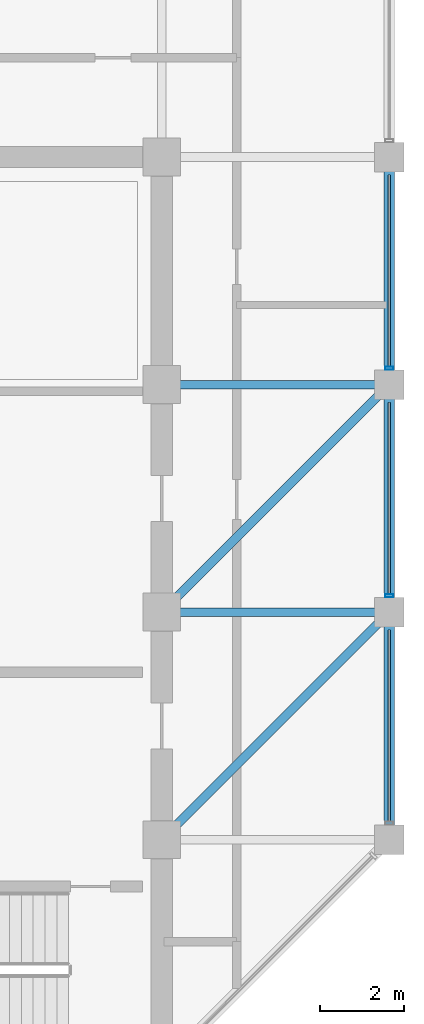
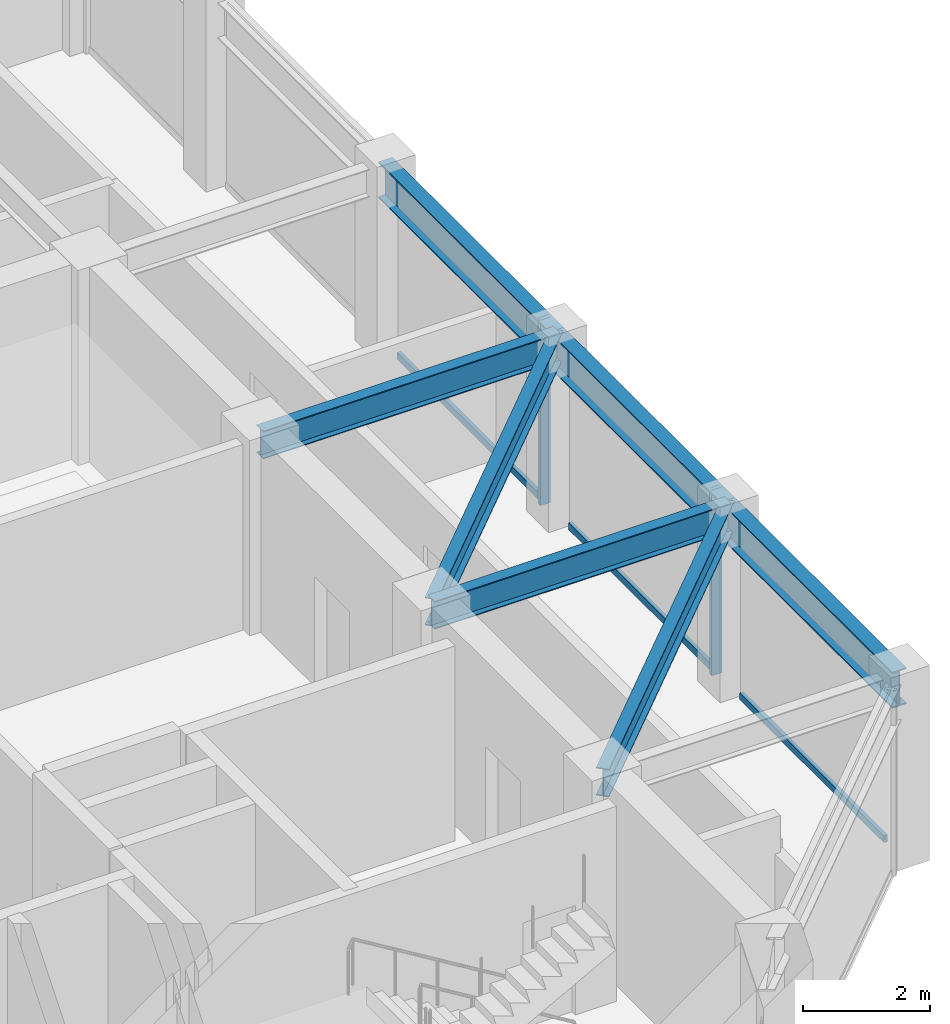
# One storey, part 13 of 30: 7 beams, 5 members, 1 element without a shape of its own.
"""IFC4 building model written with IfcOpenShell, lengths in metres."""

import ifcopenshell
import ifcopenshell.guid

model = None  # the IFC model being written
_history = None  # IfcOwnerHistory: only IFC2X3 demands one
_inside = {}  # id of a spatial element -> (the spatial element, [elements in it])
_under = {}  # id of a project, library or spatial element -> (it, [spatial elements below it])
_declared = {}  # id of a project -> (the project, [libraries it declares])
_typed = {}  # id of a type object -> (the type object, [elements of that type])
_made_of = {}  # id of a material, layer set ... -> (it, [elements and type objects made of it])


def new_model(schema):
    """Start an empty IFC model of exactly this schema.

    Asked for "IFC4X3", IfcOpenShell would pick the latest addendum, in which some entities
    have other attributes; the version numbers below select the first issue.
    IFC2X3 requires an IfcOwnerHistory on every rooted entity: one is made here for all.
    """
    global model, _history
    if schema == "IFC4X3":
        model = ifcopenshell.file(schema_version=(4, 3, 0, 0))
    else:
        model = ifcopenshell.file(schema=schema)
    _inside.clear()
    _under.clear()
    _declared.clear()
    _typed.clear()
    _made_of.clear()
    _history = None
    if model.schema == "IFC2X3":
        org = make("IfcOrganization", Name="unknown")
        user = make(
            "IfcPersonAndOrganization",
            ThePerson=make("IfcPerson", FamilyName="unknown"),
            TheOrganization=org,
        )
        app = make(
            "IfcApplication",
            ApplicationDeveloper=org,
            Version="unknown",
            ApplicationFullName="unknown",
            ApplicationIdentifier="unknown",
        )
        _history = make(
            "IfcOwnerHistory",
            OwningUser=user,
            OwningApplication=app,
            ChangeAction="ADDED",
            CreationDate=0,
        )
    return model


def make(cls, **values):
    """One entity of the class cls with the attributes given. An attribute that is None is left unset."""
    return model.create_entity(
        cls, **{name: value for name, value in values.items() if value is not None}
    )


def rooted(cls, **values):
    """An entity with a GlobalId (a new one), such as an element, a storey or a relation."""
    return make(cls, GlobalId=ifcopenshell.guid.new(), OwnerHistory=_history, **values)


def si_unit(unit_type, name, prefix=None):
    """IfcSIUnit, for example si_unit("LENGTHUNIT", "METRE", prefix="MILLI")."""
    return make("IfcSIUnit", UnitType=unit_type, Prefix=prefix, Name=name)


def assignment(units):
    """IfcUnitAssignment: the units of a project."""
    return None if units is None else make("IfcUnitAssignment", Units=units)


def point(xyz):
    """IfcCartesianPoint."""
    return None if xyz is None else make("IfcCartesianPoint", Coordinates=xyz)


def direction(xyz):
    """IfcDirection."""
    return None if xyz is None else make("IfcDirection", DirectionRatios=xyz)


def frame(location, z_axis=None, x_axis=None):
    """IfcAxis2Placement3D, a coordinate frame: its origin and axes. An axis left out is left unset."""
    return make(
        "IfcAxis2Placement3D",
        Location=point(location),
        Axis=direction(z_axis),
        RefDirection=direction(x_axis),
    )


def frame_2d(location, x_axis=None):
    """IfcAxis2Placement2D, a coordinate frame in the plane: its origin and x axis."""
    return make(
        "IfcAxis2Placement2D", Location=point(location), RefDirection=direction(x_axis)
    )


def origin():
    """The frame at (0, 0, 0) with its axes left unset."""
    return frame((0.0, 0.0, 0.0))


def origin_2d():
    """The frame at (0, 0) in the plane with its x axis left unset."""
    return frame_2d((0.0, 0.0))


def place(relative_to, where):
    """IfcLocalPlacement: puts the frame where relative to a parent placement (None: the world)."""
    return make(
        "IfcLocalPlacement", PlacementRelTo=relative_to, RelativePlacement=where
    )


def context(
    kind, dimensions, precision=None, world=None, true_north=None, identifier=None
):
    """IfcGeometricRepresentationContext, for example the 3D "Model" context."""
    return make(
        "IfcGeometricRepresentationContext",
        ContextIdentifier=identifier,
        ContextType=kind,
        CoordinateSpaceDimension=dimensions,
        Precision=precision,
        WorldCoordinateSystem=world,
        TrueNorth=true_north,
    )


def subcontext(parent, identifier, kind, view, scale=None):
    """IfcGeometricRepresentationSubContext, for example "Body" below "Model"."""
    return make(
        "IfcGeometricRepresentationSubContext",
        ContextIdentifier=identifier,
        ContextType=kind,
        ParentContext=parent,
        TargetScale=scale,
        TargetView=view,
    )


def project(units=None, contexts=None):
    """IfcProject with its units and contexts."""
    return rooted(
        "IfcProject",
        Name="project",
        RepresentationContexts=contexts,
        UnitsInContext=assignment(units),
    )


def spatial(cls, under=None, at=None, **own):
    """A site, building, storey or space (cls), placed at a placement, below another one or the project."""
    s = rooted(cls, ObjectPlacement=at, **own)
    if under is not None:
        _under.setdefault(under.id(), (under, []))[1].append(s)
    return s


def profile(cls, at=None, kind="AREA", **sizes):
    """A parametric profile (cls). Its sizes go by their IFC names, for example OverallWidth=200.0."""
    return make(cls, ProfileType=kind, Position=at, **sizes)


def hollow_rectangle(**sizes):
    """IfcRectangleHollowProfileDef."""
    return profile("IfcRectangleHollowProfileDef", **sizes)


def i_section(**sizes):
    """IfcIShapeProfileDef."""
    return profile("IfcIShapeProfileDef", **sizes)


def extrude(swept, where, along, depth):
    """IfcExtrudedAreaSolid: the profile swept, set in the frame where, extruded along a direction by depth."""
    return make(
        "IfcExtrudedAreaSolid",
        SweptArea=swept,
        Position=where,
        ExtrudedDirection=direction(along),
        Depth=depth,
    )


def shape(context_of_items, identifier, shape_type, items):
    """IfcShapeRepresentation: the items that make up one representation, for example the "Body"."""
    return make(
        "IfcShapeRepresentation",
        ContextOfItems=context_of_items,
        RepresentationIdentifier=identifier,
        RepresentationType=shape_type,
        Items=items,
    )


def material(Name=None, Category=None):
    """IfcMaterial."""
    return make("IfcMaterial", Name=Name, Category=Category)


def layer(
    of_material, thickness, ventilated=None, Name=None, Category=None, Priority=None
):
    """IfcMaterialLayer: one layer of a wall or slab, of a material (None: an air gap)."""
    return make(
        "IfcMaterialLayer",
        Material=of_material,
        LayerThickness=thickness,
        IsVentilated=ventilated,
        Name=Name,
        Category=Category,
        Priority=Priority,
    )


def layer_set(layers, Name=None):
    """IfcMaterialLayerSet."""
    return make("IfcMaterialLayerSet", MaterialLayers=layers, LayerSetName=Name)


def material_profile(
    of_material, cross_section, Name=None, Category=None, Priority=None
):
    """IfcMaterialProfile: a cross section and its material."""
    return make(
        "IfcMaterialProfile",
        Name=Name,
        Material=of_material,
        Profile=cross_section,
        Priority=Priority,
        Category=Category,
    )


def profile_set(profiles, Name=None, composite=None):
    """IfcMaterialProfileSet."""
    return make(
        "IfcMaterialProfileSet",
        Name=Name,
        MaterialProfiles=profiles,
        CompositeProfile=composite,
    )


def made_of(thing, what):
    """Note that an element or type object is made of a material, layer set ...; save() writes the relation."""
    if what is not None:
        _made_of.setdefault(what.id(), (what, []))[1].append(thing)
    return thing


def type_object(cls, material=None, **own):
    """A type object (cls), such as IfcWallType, which elements share."""
    return made_of(rooted(cls, **own), material)


def element(
    cls,
    number,
    at=None,
    inside=None,
    cuts=None,
    type_object=None,
    material=None,
    context=None,
    identifier="Body",
    shape_type=None,
    held_by="IfcProductDefinitionShape",
    body=None,
    shapes=None,
    **own,
):
    """One element of the class cls, such as IfcWall. Its Tag is "e" and its number.

    at: its placement. inside: the storey or other place that contains it. cuts: it is an
    opening in that element (IfcRelVoidsElement). A single representation is given by context,
    identifier, shape_type and body (its items); several are given by shapes. held_by: the class
    of the entity that holds the representations. save() writes the other relations.
    """
    e = rooted(cls, Tag="e%d" % number, ObjectPlacement=at, **own)
    if body is not None:
        shapes = [shape(context, identifier, shape_type, body)]
    if shapes is not None:
        e.Representation = make(held_by, Representations=shapes)
    if inside is not None:
        _inside.setdefault(inside.id(), (inside, []))[1].append(e)
    if cuts is not None:
        rooted(
            "IfcRelVoidsElement", RelatingBuildingElement=cuts, RelatedOpeningElement=e
        )
    if type_object is not None:
        _typed.setdefault(type_object.id(), (type_object, []))[1].append(e)
    return made_of(e, material)


def aggregate(whole, parts):
    """IfcRelAggregates: a whole, such as a stair, and the parts it consists of."""
    return rooted("IfcRelAggregates", RelatingObject=whole, RelatedObjects=parts)


def save(model, path):
    """Write the relations noted so far, then the file.

    IfcRelAggregates (storeys below a building ...), IfcRelContainedInSpatialStructure (elements
    in a storey), IfcRelDefinesByType, IfcRelAssociatesMaterial and IfcRelDeclares: one each for
    every whole, place, type object, material and project.
    """
    for whole, parts in _under.values():
        aggregate(whole, parts)
    for where, things in _inside.values():
        rooted(
            "IfcRelContainedInSpatialStructure",
            RelatedElements=things,
            RelatingStructure=where,
        )
    for kind, things in _typed.values():
        rooted("IfcRelDefinesByType", RelatedObjects=things, RelatingType=kind)
    for what, things in _made_of.values():
        rooted("IfcRelAssociatesMaterial", RelatedObjects=things, RelatingMaterial=what)
    for by, libraries in _declared.values():
        rooted("IfcRelDeclares", RelatingContext=by, RelatedDefinitions=libraries)
    model.write(path)


model = new_model("IFC4")

# Units and contexts
model_context = context("Model", 3, precision=1e-05, world=origin(), true_north=direction((0.0, 1.0)))
body_context = subcontext(model_context, "Body", "Model", "MODEL_VIEW")
ifc_project = project(units=[si_unit("LENGTHUNIT", "METRE"), si_unit("AREAUNIT", "SQUARE_METRE"), si_unit("VOLUMEUNIT", "CUBIC_METRE"), si_unit("PLANEANGLEUNIT", "RADIAN"), si_unit("MASSUNIT", "GRAM", prefix="KILO")], contexts=[model_context])

# Site, building, storey
site_placement = place(None, origin())
site = spatial("IfcSite", under=ifc_project, at=site_placement, CompositionType="ELEMENT")
building_placement = place(site_placement, origin())
building = spatial("IfcBuilding", under=site, at=building_placement, Name="Surkhivell Harbour Commons", CompositionType="ELEMENT")
storey_placement = place(building_placement, frame((0.0, 0.0, 292.5)))
storey = spatial("IfcBuildingStorey", under=building, at=storey_placement, Name="L76", CompositionType="ELEMENT", Elevation=292.5)

# Beams
ifc_material_1 = material(Name="Steel S355", Category="steel")
ifc_material_profile_1 = material_profile(ifc_material_1, i_section(OverallWidth=0.2099609375, OverallDepth=0.537109375, WebThickness=0.0107421875, FlangeThickness=0.017333984375, at=origin_2d()), Name="UB533x210x101")
ifc_profile_set_1 = profile_set([ifc_material_profile_1], Name="Steel S355")
beam_type_1 = type_object("IfcBeamType", Name="BM-GRD-533B", PredefinedType="BEAM", material=ifc_profile_set_1)
beam_1_placement = place(storey_placement, frame((10.800048828125, -5.39990234375, 3.301513671875), z_axis=(0.707106781187, 0.707106781187, 0.0), x_axis=(-0.707106781187, 0.707106781187, 0.0)))
element("IfcBeam", 1, at=beam_1_placement, inside=storey, type_object=beam_type_1, Name="L76 Floor Girder (10.8,-5.4)", PredefinedType="BEAM", context=body_context, shape_type="SweptSolid", body=[
    extrude(i_section(OverallWidth=0.2099609375, OverallDepth=0.537109375, WebThickness=0.0107421875, FlangeThickness=0.017333984375, at=origin_2d()), origin(), (0.0, 0.0, 1.0), 7.63671875),
])
beam_2_placement = place(storey_placement, frame((10.800048828125, 0.0, 3.301513671875), z_axis=(1.0, 0.0, 0.0), x_axis=(0.0, 1.0, 0.0)))
element("IfcBeam", 2, at=beam_2_placement, inside=storey, type_object=beam_type_1, Name="L76 Floor Girder (10.8,0.0)", PredefinedType="BEAM", context=body_context, shape_type="SweptSolid", body=[
    extrude(i_section(OverallWidth=0.2099609375, OverallDepth=0.537109375, WebThickness=0.0107421875, FlangeThickness=0.017333984375, at=origin_2d()), origin(), (0.0, 0.0, 1.0), 5.39990234375),
])
beam_3_placement = place(storey_placement, frame((10.800048828125, 0.0, 3.301513671875), z_axis=(0.707106781187, 0.707106781187, 0.0), x_axis=(-0.707106781187, 0.707106781187, 0.0)))
element("IfcBeam", 3, at=beam_3_placement, inside=storey, type_object=beam_type_1, Name="L76 Floor Girder (10.8,0.0)", PredefinedType="BEAM", context=body_context, shape_type="SweptSolid", body=[
    extrude(i_section(OverallWidth=0.2099609375, OverallDepth=0.537109375, WebThickness=0.0107421875, FlangeThickness=0.017333984375, at=origin_2d()), origin(), (0.0, 0.0, 1.0), 7.63671875),
])
beam_4_placement = place(storey_placement, frame((10.800048828125, 5.39990234375, 3.301513671875), z_axis=(1.0, 0.0, 0.0), x_axis=(0.0, 1.0, 0.0)))
element("IfcBeam", 4, at=beam_4_placement, inside=storey, type_object=beam_type_1, Name="L76 Floor Girder (10.8,5.4)", PredefinedType="BEAM", context=body_context, shape_type="SweptSolid", body=[
    extrude(i_section(OverallWidth=0.2099609375, OverallDepth=0.537109375, WebThickness=0.0107421875, FlangeThickness=0.017333984375, at=origin_2d()), origin(), (0.0, 0.0, 1.0), 5.39990234375),
])
ifc_material_profile_2 = material_profile(ifc_material_1, i_section(OverallWidth=0.256103515625, OverallDepth=0.693115234375, WebThickness=0.014404296875, FlangeThickness=0.023681640625, at=origin_2d()), Name="UB686x254x170")
ifc_profile_set_2 = profile_set([ifc_material_profile_2], Name="Steel S355")
beam_type_2 = type_object("IfcBeamType", Name="BM-SPN-686", PredefinedType="SPANDREL", material=ifc_profile_set_2)
for number, where, z_axis, x_axis, name in (
    (5, (16.199951171875, -5.39990234375, 3.223388671875), (0.0, 1.0, 0.0), (-1.0, 0.0, 0.0), "L76 Tube Spandrel (16.2,-5.4)"),
    (6, (16.199951171875, 0.0, 3.223388671875), (0.0, 1.0, 0.0), (-1.0, 0.0, 0.0), "L76 Tube Spandrel (16.2,0.0)"),
):
    element("IfcBeam", number, at=place(storey_placement, frame(where, z_axis=z_axis, x_axis=x_axis)), inside=storey, type_object=beam_type_2, Name=name, PredefinedType="SPANDREL", context=body_context, shape_type="SweptSolid", body=[
        extrude(i_section(OverallWidth=0.256103515625, OverallDepth=0.693115234375, WebThickness=0.014404296875, FlangeThickness=0.023681640625, at=origin_2d()), origin(), (0.0, 0.0, 1.0), 5.39990234375),
    ])
beam_5_placement = place(storey_placement, frame((16.199951171875, 5.39990234375, 3.223388671875), z_axis=(0.0, 1.0, 0.0), x_axis=(-1.0, 0.0, 0.0)))
element("IfcBeam", 7, at=beam_5_placement, inside=storey, type_object=beam_type_2, Name="L76 Tube Spandrel (16.2,5.4)", PredefinedType="SPANDREL", context=body_context, shape_type="SweptSolid", body=[
    extrude(i_section(OverallWidth=0.256103515625, OverallDepth=0.693115234375, WebThickness=0.014404296875, FlangeThickness=0.023681640625, at=origin_2d()), origin(), (0.0, 0.0, 1.0), 5.400146484375),
])

# Curtain wall, members
ifc_material_2 = material(Name="Anodised pale-metal aluminium and insulated glazing", Category="aluminium")
ifc_layer = layer(ifc_material_2, 0.175048828125)
ifc_layer_set = layer_set([ifc_layer], Name="Anodised pale-metal aluminium and insulated glazing")
curtain_wall_type = type_object("IfcCurtainWallType", Name="CW-SYS-Z4", PredefinedType="NOTDEFINED", material=ifc_layer_set)
curtain_wall_placement = place(storey_placement, origin())
curtain_wall = element("IfcCurtainWall", 8, at=curtain_wall_placement, inside=storey, type_object=curtain_wall_type, Name="L76 Curtain Wall CW-L76-E02", PredefinedType="NOTDEFINED")
ifc_material_3 = material(Name="Anodised pale-metal aluminium alloy 6063-T6", Category="aluminium")
ifc_material_profile_3 = material_profile(ifc_material_3, hollow_rectangle(XDim=0.074951171875, YDim=0.18994140625, WallThickness=0.00390625, at=origin_2d()), Name="ALU-MULL-75x190")
ifc_profile_set_3 = profile_set([ifc_material_profile_3], Name="Anodised pale-metal aluminium alloy 6063-T6")
member_type_1 = type_object("IfcMemberType", Name="CWM-190", PredefinedType="MULLION", material=ifc_profile_set_3)
member_1_placement = place(storey_placement, frame((16.199951171875, 0.389404296875, 0.0), z_axis=(0.0, 0.0, 1.0), x_axis=(0.0, 1.0, 0.0)))
member_1 = element("IfcMember", 9, at=member_1_placement, type_object=member_type_1, Name="CW-Z4 mullion 2", PredefinedType="MULLION", context=body_context, shape_type="SweptSolid", body=[
    extrude(hollow_rectangle(XDim=0.074951171875, YDim=0.18994140625, WallThickness=0.00390625, at=origin_2d()), origin(), (0.0, 0.0, 1.0), 3.570068359375),
])
member_2_placement = place(storey_placement, frame((16.199951171875, 5.78955078125, 0.0), z_axis=(0.0, 0.0, 1.0), x_axis=(0.0, 1.0, 0.0)))
member_2 = element("IfcMember", 10, at=member_2_placement, type_object=member_type_1, Name="CW-Z4 mullion 3", PredefinedType="MULLION", context=body_context, shape_type="SweptSolid", body=[
    extrude(hollow_rectangle(XDim=0.074951171875, YDim=0.18994140625, WallThickness=0.00390625, at=origin_2d()), origin(), (0.0, 0.0, 1.0), 3.570068359375),
])
ifc_material_4 = material(Name="Champagne anodised aluminium alloy 6063-T6", Category="aluminium")
ifc_material_profile_4 = material_profile(ifc_material_4, hollow_rectangle(XDim=0.070068359375, YDim=0.1298828125, WallThickness=0.00341796875, at=origin_2d()), Name="ALU-TRAN-70x130")
ifc_profile_set_4 = profile_set([ifc_material_profile_4], Name="Champagne anodised aluminium alloy 6063-T6")
member_type_2 = type_object("IfcMemberType", Name="CWT-130", PredefinedType="USERDEFINED", material=ifc_profile_set_4)
member_3_placement = place(storey_placement, frame((16.199951171875, -4.972900390625, 0.06494140625), z_axis=(0.0, 1.0, 0.0), x_axis=(-1.0, 0.0, 0.0)))
member_3 = element("IfcMember", 11, at=member_3_placement, type_object=member_type_2, Name="CW-Z4 transom 1.1", ObjectType="TRANSOM", PredefinedType="USERDEFINED", context=body_context, shape_type="SweptSolid", body=[
    extrude(hollow_rectangle(XDim=0.070068359375, YDim=0.1298828125, WallThickness=0.00341796875, at=origin_2d()), origin(), (0.0, 0.0, 1.0), 4.5458984375),
])
member_4_placement = place(storey_placement, frame((16.199951171875, 0.427001953125, 0.06494140625), z_axis=(0.0, 1.0, 0.0), x_axis=(-1.0, 0.0, 0.0)))
member_4 = element("IfcMember", 12, at=member_4_placement, type_object=member_type_2, Name="CW-Z4 transom 2.1", ObjectType="TRANSOM", PredefinedType="USERDEFINED", context=body_context, shape_type="SweptSolid", body=[
    extrude(hollow_rectangle(XDim=0.070068359375, YDim=0.1298828125, WallThickness=0.00341796875, at=origin_2d()), origin(), (0.0, 0.0, 1.0), 4.5458984375),
])
member_5_placement = place(storey_placement, frame((16.199951171875, 5.826904296875, 0.06494140625), z_axis=(0.0, 1.0, 0.0), x_axis=(-1.0, 0.0, 0.0)))
member_5 = element("IfcMember", 13, at=member_5_placement, type_object=member_type_2, Name="CW-Z4 transom 3.1", ObjectType="TRANSOM", PredefinedType="USERDEFINED", context=body_context, shape_type="SweptSolid", body=[
    extrude(hollow_rectangle(XDim=0.070068359375, YDim=0.1298828125, WallThickness=0.00341796875, at=origin_2d()), origin(), (0.0, 0.0, 1.0), 4.546142578125),
])
aggregate(curtain_wall, [member_3, member_1, member_4, member_2, member_5])

save(model, "model.ifc")
